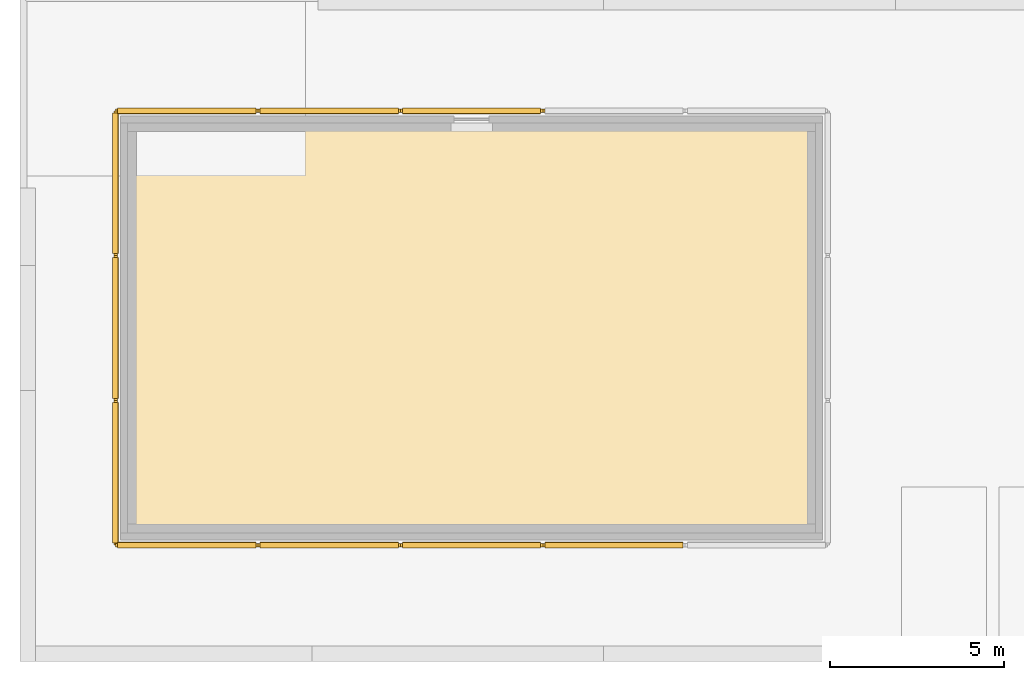
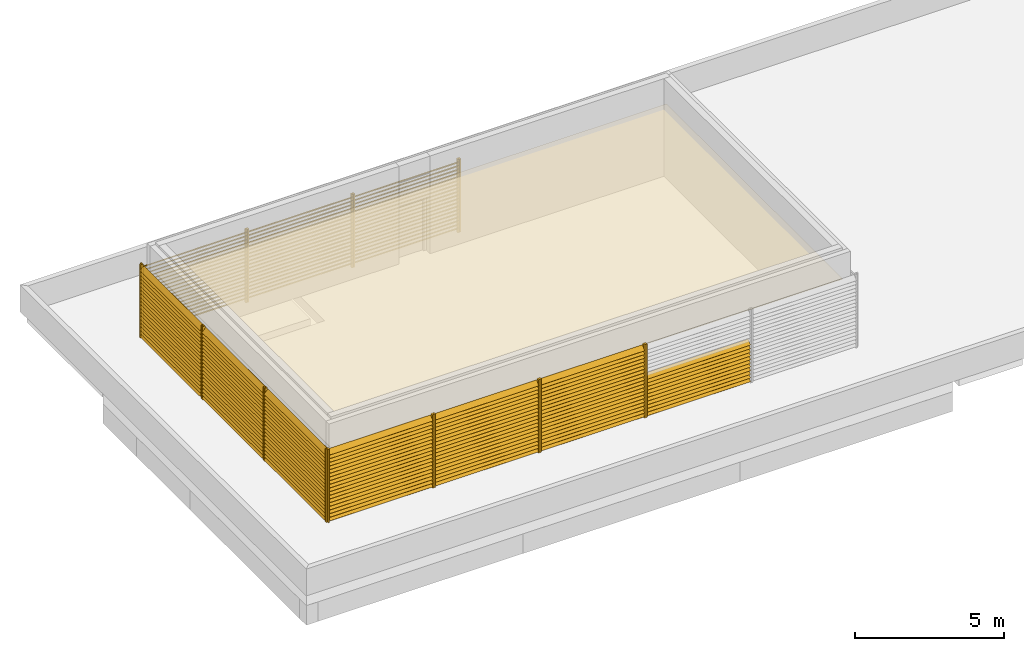
# One storey, part 5 of 13: 202 shading devices, 1 covering.
"""IFC4 building model written with IfcOpenShell, lengths in metres."""

from ifc_helpers import new_model, si_unit, direction, frame, origin, origin_2d, place, context, subcontext, project, spatial, polyline, rectangle, outline, extrude, material, layer, layer_set, material_profile, profile_set, type_object, element, save


model = new_model("IFC4")

# Units and contexts
model_context = context("Model", 3, precision=1e-05, world=origin(), true_north=direction((0.0, 1.0)))
body_context = subcontext(model_context, "Body", "Model", "MODEL_VIEW")
ifc_project = project(units=[si_unit("LENGTHUNIT", "METRE"), si_unit("AREAUNIT", "SQUARE_METRE"), si_unit("VOLUMEUNIT", "CUBIC_METRE"), si_unit("PLANEANGLEUNIT", "RADIAN"), si_unit("MASSUNIT", "GRAM", prefix="KILO")], contexts=[model_context])

# Site, building, storey
site_placement = place(None, origin())
site = spatial("IfcSite", under=ifc_project, at=site_placement, CompositionType="ELEMENT")
building_placement = place(site_placement, origin())
building = spatial("IfcBuilding", under=site, at=building_placement, Name="Bougainvillea Quay General Hospital", CompositionType="ELEMENT")
storey_placement = place(building_placement, frame((0.0, 0.0, 36.60009765625)))
storey = spatial("IfcBuildingStorey", under=building, at=storey_placement, Name="L08", CompositionType="ELEMENT", Elevation=36.60009765625)

# Shading devices
ifc_material_1 = material(Name="Extruded aluminium louvre frame, powder-coated grey", Category="aluminium")
ifc_material_profile_1 = material_profile(ifc_material_1, rectangle(XDim=0.10009765625, YDim=0.06005859375, at=origin_2d()))
ifc_profile_set_1 = profile_set([ifc_material_profile_1], Name="Extruded aluminium louvre frame, powder-coated grey")
shading_device_type_1 = type_object("IfcShadingDeviceType", Name="Louvre frame post 100x60", PredefinedType="JALOUSIE", material=ifc_profile_set_1)
for number, where, z_axis, x_axis, name in (
    (1, (44.780029296875, 143.75, 0.02978515625), (0.0, 0.0, 1.0), (0.0, 1.0, 0.0), "Louvre post V00.1"),
    (2, (48.820068359375, 143.75, 0.02978515625), (0.0, 0.0, 1.0), (0.0, 1.0, 0.0), "Louvre post V00.2"),
    (3, (48.8798828125, 143.75, 0.02978515625), (0.0, 0.0, 1.0), (0.0, 1.0, 0.0), "Louvre post V01.1"),
    (4, (52.919921875, 143.75, 0.02978515625), (0.0, 0.0, 1.0), (0.0, 1.0, 0.0), "Louvre post V01.2"),
    (5, (52.97998046875, 143.75, 0.02978515625), (0.0, 0.0, 1.0), (0.0, 1.0, 0.0), "Louvre post V02.1"),
    (6, (57.02001953125, 143.75, 0.02978515625), (0.0, 0.0, 1.0), (0.0, 1.0, 0.0), "Louvre post V02.2"),
    (7, (57.080078125, 143.75, 0.02978515625), (0.0, 0.0, 1.0), (0.0, 1.0, 0.0), "Louvre post V03.1"),
    (8, (57.080078125, 156.25, 0.02978515625), (0.0, 0.0, 1.0), (0.0, -1.0, 0.0), "Louvre post V01.2"),
    (9, (57.02001953125, 156.25, 0.02978515625), (0.0, 0.0, 1.0), (0.0, -1.0, 0.0), "Louvre post V02.1"),
    (10, (52.97998046875, 156.25, 0.02978515625), (0.0, 0.0, 1.0), (0.0, -1.0, 0.0), "Louvre post V02.2"),
    (11, (52.919921875, 156.25, 0.02978515625), (0.0, 0.0, 1.0), (0.0, -1.0, 0.0), "Louvre post V03.1"),
    (12, (48.8798828125, 156.25, 0.02978515625), (0.0, 0.0, 1.0), (0.0, -1.0, 0.0), "Louvre post V03.2"),
    (13, (48.820068359375, 156.25, 0.02978515625), (0.0, 0.0, 1.0), (0.0, -1.0, 0.0), "Louvre post V04.1"),
    (14, (44.780029296875, 156.25, 0.02978515625), (0.0, 0.0, 1.0), (0.0, -1.0, 0.0), "Louvre post V04.2"),
    (15, (44.75, 156.219970703125, 0.02978515625), (0.0, 0.0, 1.0), (1.0, 0.0, 0.0), "Louvre post V00.1"),
    (16, (44.75, 152.11328125, 0.02978515625), (0.0, 0.0, 1.0), (1.0, 0.0, 0.0), "Louvre post V00.2"),
    (17, (44.75, 152.05322265625, 0.02978515625), (0.0, 0.0, 1.0), (1.0, 0.0, 0.0), "Louvre post V01.1"),
    (18, (44.75, 147.94677734375, 0.02978515625), (0.0, 0.0, 1.0), (1.0, 0.0, 0.0), "Louvre post V01.2"),
    (19, (44.75, 147.88671875, 0.02978515625), (0.0, 0.0, 1.0), (1.0, 0.0, 0.0), "Louvre post V02.1"),
    (20, (44.75, 143.780029296875, 0.02978515625), (0.0, 0.0, 1.0), (1.0, 0.0, 0.0), "Louvre post V02.2"),
):
    element("IfcShadingDevice", number, at=place(storey_placement, frame(where, z_axis=z_axis, x_axis=x_axis)), inside=storey, type_object=shading_device_type_1, Name=name, PredefinedType="JALOUSIE", context=body_context, shape_type="SweptSolid", body=[
        extrude(rectangle(XDim=0.10009765625, YDim=0.06005859375, at=origin_2d()), origin(), (0.0, 0.0, 1.0), 3.0),
    ])
ifc_material_2 = material(Name="Extruded aluminium storm louvre blade, powder-coated grey", Category="aluminium")
ifc_material_profile_2 = material_profile(ifc_material_2, rectangle(XDim=0.219970703125, YDim=0.014892578125, at=origin_2d()))
ifc_profile_set_2 = profile_set([ifc_material_profile_2], Name="Extruded aluminium storm louvre blade, powder-coated grey")
shading_device_type_2 = type_object("IfcShadingDeviceType", Name="Storm louvre blade 220", PredefinedType="JALOUSIE", material=ifc_profile_set_2)
for number, where, z_axis, x_axis, name in (
    (21, (44.81005859375, 143.75, 0.179931640625), (1.0, 0.0, 0.0), (0.0, 0.707106781187, 0.707106781187), "Storm louvre blade V00.1"),
    (22, (44.81005859375, 143.75, 0.329833984375), (1.0, 0.0, 0.0), (0.0, 0.707106781187, 0.707106781187), "Storm louvre blade V00.2"),
    (23, (44.81005859375, 143.75, 0.47998046875), (1.0, 0.0, 0.0), (0.0, 0.707106781187, 0.707106781187), "Storm louvre blade V00.3"),
    (24, (44.81005859375, 143.75, 0.6298828125), (1.0, 0.0, 0.0), (0.0, 0.707106781187, 0.707106781187), "Storm louvre blade V00.4"),
    (25, (44.81005859375, 143.75, 0.77978515625), (1.0, 0.0, 0.0), (0.0, 0.707106781187, 0.707106781187), "Storm louvre blade V00.5"),
    (26, (44.81005859375, 143.75, 0.929931640625), (1.0, 0.0, 0.0), (0.0, 0.707106781187, 0.707106781187), "Storm louvre blade V00.6"),
    (27, (44.81005859375, 143.75, 1.079833984375), (1.0, 0.0, 0.0), (0.0, 0.707106781187, 0.707106781187), "Storm louvre blade V00.7"),
    (28, (44.81005859375, 143.75, 1.22998046875), (1.0, 0.0, 0.0), (0.0, 0.707106781187, 0.707106781187), "Storm louvre blade V00.8"),
    (29, (44.81005859375, 143.75, 1.3798828125), (1.0, 0.0, 0.0), (0.0, 0.707106781187, 0.707106781187), "Storm louvre blade V00.9"),
    (30, (44.81005859375, 143.75, 1.52978515625), (1.0, 0.0, 0.0), (0.0, 0.707106781187, 0.707106781187), "Storm louvre blade V00.10"),
    (31, (44.81005859375, 143.75, 1.679931640625), (1.0, 0.0, 0.0), (0.0, 0.707106781187, 0.707106781187), "Storm louvre blade V00.11"),
    (32, (44.81005859375, 143.75, 1.829833984375), (1.0, 0.0, 0.0), (0.0, 0.707106781187, 0.707106781187), "Storm louvre blade V00.12"),
    (33, (44.81005859375, 143.75, 1.97998046875), (1.0, 0.0, 0.0), (0.0, 0.707106781187, 0.707106781187), "Storm louvre blade V00.13"),
    (34, (44.81005859375, 143.75, 2.1298828125), (1.0, 0.0, 0.0), (0.0, 0.707106781187, 0.707106781187), "Storm louvre blade V00.14"),
    (35, (44.81005859375, 143.75, 2.27978515625), (1.0, 0.0, 0.0), (0.0, 0.707106781187, 0.707106781187), "Storm louvre blade V00.15"),
    (36, (44.81005859375, 143.75, 2.429931640625), (1.0, 0.0, 0.0), (0.0, 0.707106781187, 0.707106781187), "Storm louvre blade V00.16"),
    (37, (44.81005859375, 143.75, 2.579833984375), (1.0, 0.0, 0.0), (0.0, 0.707106781187, 0.707106781187), "Storm louvre blade V00.17"),
    (38, (44.81005859375, 143.75, 2.72998046875), (1.0, 0.0, 0.0), (0.0, 0.707106781187, 0.707106781187), "Storm louvre blade V00.18"),
    (39, (44.81005859375, 143.75, 2.8798828125), (1.0, 0.0, 0.0), (0.0, 0.707106781187, 0.707106781187), "Storm louvre blade V00.19"),
    (40, (48.909912109375, 143.75, 0.179931640625), (1.0, 0.0, 0.0), (0.0, 0.707106781187, 0.707106781187), "Storm louvre blade V01.1"),
    (41, (48.909912109375, 143.75, 0.329833984375), (1.0, 0.0, 0.0), (0.0, 0.707106781187, 0.707106781187), "Storm louvre blade V01.2"),
    (42, (48.909912109375, 143.75, 0.47998046875), (1.0, 0.0, 0.0), (0.0, 0.707106781187, 0.707106781187), "Storm louvre blade V01.3"),
    (43, (48.909912109375, 143.75, 0.6298828125), (1.0, 0.0, 0.0), (0.0, 0.707106781187, 0.707106781187), "Storm louvre blade V01.4"),
    (44, (48.909912109375, 143.75, 0.77978515625), (1.0, 0.0, 0.0), (0.0, 0.707106781187, 0.707106781187), "Storm louvre blade V01.5"),
    (45, (48.909912109375, 143.75, 0.929931640625), (1.0, 0.0, 0.0), (0.0, 0.707106781187, 0.707106781187), "Storm louvre blade V01.6"),
    (46, (48.909912109375, 143.75, 1.079833984375), (1.0, 0.0, 0.0), (0.0, 0.707106781187, 0.707106781187), "Storm louvre blade V01.7"),
    (47, (48.909912109375, 143.75, 1.22998046875), (1.0, 0.0, 0.0), (0.0, 0.707106781187, 0.707106781187), "Storm louvre blade V01.8"),
    (48, (48.909912109375, 143.75, 1.3798828125), (1.0, 0.0, 0.0), (0.0, 0.707106781187, 0.707106781187), "Storm louvre blade V01.9"),
    (49, (48.909912109375, 143.75, 1.52978515625), (1.0, 0.0, 0.0), (0.0, 0.707106781187, 0.707106781187), "Storm louvre blade V01.10"),
    (50, (48.909912109375, 143.75, 1.679931640625), (1.0, 0.0, 0.0), (0.0, 0.707106781187, 0.707106781187), "Storm louvre blade V01.11"),
    (51, (48.909912109375, 143.75, 1.829833984375), (1.0, 0.0, 0.0), (0.0, 0.707106781187, 0.707106781187), "Storm louvre blade V01.12"),
    (52, (48.909912109375, 143.75, 1.97998046875), (1.0, 0.0, 0.0), (0.0, 0.707106781187, 0.707106781187), "Storm louvre blade V01.13"),
    (53, (48.909912109375, 143.75, 2.1298828125), (1.0, 0.0, 0.0), (0.0, 0.707106781187, 0.707106781187), "Storm louvre blade V01.14"),
    (54, (48.909912109375, 143.75, 2.27978515625), (1.0, 0.0, 0.0), (0.0, 0.707106781187, 0.707106781187), "Storm louvre blade V01.15"),
    (55, (48.909912109375, 143.75, 2.429931640625), (1.0, 0.0, 0.0), (0.0, 0.707106781187, 0.707106781187), "Storm louvre blade V01.16"),
    (56, (48.909912109375, 143.75, 2.579833984375), (1.0, 0.0, 0.0), (0.0, 0.707106781187, 0.707106781187), "Storm louvre blade V01.17"),
    (57, (48.909912109375, 143.75, 2.72998046875), (1.0, 0.0, 0.0), (0.0, 0.707106781187, 0.707106781187), "Storm louvre blade V01.18"),
    (58, (48.909912109375, 143.75, 2.8798828125), (1.0, 0.0, 0.0), (0.0, 0.707106781187, 0.707106781187), "Storm louvre blade V01.19"),
    (59, (53.010009765625, 143.75, 0.179931640625), (1.0, 0.0, 0.0), (0.0, 0.707106781187, 0.707106781187), "Storm louvre blade V02.1"),
    (60, (53.010009765625, 143.75, 0.329833984375), (1.0, 0.0, 0.0), (0.0, 0.707106781187, 0.707106781187), "Storm louvre blade V02.2"),
    (61, (53.010009765625, 143.75, 0.47998046875), (1.0, 0.0, 0.0), (0.0, 0.707106781187, 0.707106781187), "Storm louvre blade V02.3"),
    (62, (53.010009765625, 143.75, 0.6298828125), (1.0, 0.0, 0.0), (0.0, 0.707106781187, 0.707106781187), "Storm louvre blade V02.4"),
    (63, (53.010009765625, 143.75, 0.77978515625), (1.0, 0.0, 0.0), (0.0, 0.707106781187, 0.707106781187), "Storm louvre blade V02.5"),
    (64, (53.010009765625, 143.75, 0.929931640625), (1.0, 0.0, 0.0), (0.0, 0.707106781187, 0.707106781187), "Storm louvre blade V02.6"),
    (65, (53.010009765625, 143.75, 1.079833984375), (1.0, 0.0, 0.0), (0.0, 0.707106781187, 0.707106781187), "Storm louvre blade V02.7"),
    (66, (53.010009765625, 143.75, 1.22998046875), (1.0, 0.0, 0.0), (0.0, 0.707106781187, 0.707106781187), "Storm louvre blade V02.8"),
    (67, (53.010009765625, 143.75, 1.3798828125), (1.0, 0.0, 0.0), (0.0, 0.707106781187, 0.707106781187), "Storm louvre blade V02.9"),
    (68, (53.010009765625, 143.75, 1.52978515625), (1.0, 0.0, 0.0), (0.0, 0.707106781187, 0.707106781187), "Storm louvre blade V02.10"),
    (69, (53.010009765625, 143.75, 1.679931640625), (1.0, 0.0, 0.0), (0.0, 0.707106781187, 0.707106781187), "Storm louvre blade V02.11"),
    (70, (53.010009765625, 143.75, 1.829833984375), (1.0, 0.0, 0.0), (0.0, 0.707106781187, 0.707106781187), "Storm louvre blade V02.12"),
    (71, (53.010009765625, 143.75, 1.97998046875), (1.0, 0.0, 0.0), (0.0, 0.707106781187, 0.707106781187), "Storm louvre blade V02.13"),
    (72, (53.010009765625, 143.75, 2.1298828125), (1.0, 0.0, 0.0), (0.0, 0.707106781187, 0.707106781187), "Storm louvre blade V02.14"),
    (73, (53.010009765625, 143.75, 2.27978515625), (1.0, 0.0, 0.0), (0.0, 0.707106781187, 0.707106781187), "Storm louvre blade V02.15"),
    (74, (53.010009765625, 143.75, 2.429931640625), (1.0, 0.0, 0.0), (0.0, 0.707106781187, 0.707106781187), "Storm louvre blade V02.16"),
    (75, (53.010009765625, 143.75, 2.579833984375), (1.0, 0.0, 0.0), (0.0, 0.707106781187, 0.707106781187), "Storm louvre blade V02.17"),
    (76, (53.010009765625, 143.75, 2.72998046875), (1.0, 0.0, 0.0), (0.0, 0.707106781187, 0.707106781187), "Storm louvre blade V02.18"),
    (77, (53.010009765625, 143.75, 2.8798828125), (1.0, 0.0, 0.0), (0.0, 0.707106781187, 0.707106781187), "Storm louvre blade V02.19"),
    (78, (57.110107421875, 143.75, 0.179931640625), (1.0, 0.0, 0.0), (0.0, 0.707106781187, 0.707106781187), "Storm louvre blade V03.1"),
    (79, (57.110107421875, 143.75, 0.329833984375), (1.0, 0.0, 0.0), (0.0, 0.707106781187, 0.707106781187), "Storm louvre blade V03.2"),
    (80, (57.110107421875, 143.75, 0.47998046875), (1.0, 0.0, 0.0), (0.0, 0.707106781187, 0.707106781187), "Storm louvre blade V03.3"),
    (81, (57.110107421875, 143.75, 0.6298828125), (1.0, 0.0, 0.0), (0.0, 0.707106781187, 0.707106781187), "Storm louvre blade V03.4"),
    (82, (57.110107421875, 143.75, 0.77978515625), (1.0, 0.0, 0.0), (0.0, 0.707106781187, 0.707106781187), "Storm louvre blade V03.5"),
    (83, (57.110107421875, 143.75, 0.929931640625), (1.0, 0.0, 0.0), (0.0, 0.707106781187, 0.707106781187), "Storm louvre blade V03.6"),
    (84, (57.110107421875, 143.75, 1.079833984375), (1.0, 0.0, 0.0), (0.0, 0.707106781187, 0.707106781187), "Storm louvre blade V03.7"),
    (85, (57.110107421875, 143.75, 1.22998046875), (1.0, 0.0, 0.0), (0.0, 0.707106781187, 0.707106781187), "Storm louvre blade V03.8"),
    (86, (57.110107421875, 143.75, 1.3798828125), (1.0, 0.0, 0.0), (0.0, 0.707106781187, 0.707106781187), "Storm louvre blade V03.9"),
    (87, (57.110107421875, 143.75, 1.52978515625), (1.0, 0.0, 0.0), (0.0, 0.707106781187, 0.707106781187), "Storm louvre blade V03.10"),
    (88, (57.110107421875, 143.75, 1.679931640625), (1.0, 0.0, 0.0), (0.0, 0.707106781187, 0.707106781187), "Storm louvre blade V03.11"),
    (89, (56.989990234375, 156.25, 0.179931640625), (-1.0, 0.0, 0.0), (0.0, -0.707106781187, 0.707106781187), "Storm louvre blade V02.1"),
    (90, (56.989990234375, 156.25, 0.329833984375), (-1.0, 0.0, 0.0), (0.0, -0.707106781187, 0.707106781187), "Storm louvre blade V02.2"),
    (91, (56.989990234375, 156.25, 0.47998046875), (-1.0, 0.0, 0.0), (0.0, -0.707106781187, 0.707106781187), "Storm louvre blade V02.3"),
    (92, (56.989990234375, 156.25, 0.6298828125), (-1.0, 0.0, 0.0), (0.0, -0.707106781187, 0.707106781187), "Storm louvre blade V02.4"),
    (93, (56.989990234375, 156.25, 0.77978515625), (-1.0, 0.0, 0.0), (0.0, -0.707106781187, 0.707106781187), "Storm louvre blade V02.5"),
    (94, (56.989990234375, 156.25, 0.929931640625), (-1.0, 0.0, 0.0), (0.0, -0.707106781187, 0.707106781187), "Storm louvre blade V02.6"),
    (95, (56.989990234375, 156.25, 1.079833984375), (-1.0, 0.0, 0.0), (0.0, -0.707106781187, 0.707106781187), "Storm louvre blade V02.7"),
    (96, (56.989990234375, 156.25, 1.22998046875), (-1.0, 0.0, 0.0), (0.0, -0.707106781187, 0.707106781187), "Storm louvre blade V02.8"),
    (97, (56.989990234375, 156.25, 1.3798828125), (-1.0, 0.0, 0.0), (0.0, -0.707106781187, 0.707106781187), "Storm louvre blade V02.9"),
    (98, (56.989990234375, 156.25, 1.52978515625), (-1.0, 0.0, 0.0), (0.0, -0.707106781187, 0.707106781187), "Storm louvre blade V02.10"),
    (99, (56.989990234375, 156.25, 1.679931640625), (-1.0, 0.0, 0.0), (0.0, -0.707106781187, 0.707106781187), "Storm louvre blade V02.11"),
    (100, (56.989990234375, 156.25, 1.829833984375), (-1.0, 0.0, 0.0), (0.0, -0.707106781187, 0.707106781187), "Storm louvre blade V02.12"),
    (101, (56.989990234375, 156.25, 1.97998046875), (-1.0, 0.0, 0.0), (0.0, -0.707106781187, 0.707106781187), "Storm louvre blade V02.13"),
    (102, (56.989990234375, 156.25, 2.1298828125), (-1.0, 0.0, 0.0), (0.0, -0.707106781187, 0.707106781187), "Storm louvre blade V02.14"),
    (103, (56.989990234375, 156.25, 2.27978515625), (-1.0, 0.0, 0.0), (0.0, -0.707106781187, 0.707106781187), "Storm louvre blade V02.15"),
    (104, (56.989990234375, 156.25, 2.429931640625), (-1.0, 0.0, 0.0), (0.0, -0.707106781187, 0.707106781187), "Storm louvre blade V02.16"),
    (105, (56.989990234375, 156.25, 2.579833984375), (-1.0, 0.0, 0.0), (0.0, -0.707106781187, 0.707106781187), "Storm louvre blade V02.17"),
    (106, (56.989990234375, 156.25, 2.72998046875), (-1.0, 0.0, 0.0), (0.0, -0.707106781187, 0.707106781187), "Storm louvre blade V02.18"),
    (107, (56.989990234375, 156.25, 2.8798828125), (-1.0, 0.0, 0.0), (0.0, -0.707106781187, 0.707106781187), "Storm louvre blade V02.19"),
    (108, (52.889892578125, 156.25, 0.179931640625), (-1.0, 0.0, 0.0), (0.0, -0.707106781187, 0.707106781187), "Storm louvre blade V03.1"),
    (109, (52.889892578125, 156.25, 0.329833984375), (-1.0, 0.0, 0.0), (0.0, -0.707106781187, 0.707106781187), "Storm louvre blade V03.2"),
    (110, (52.889892578125, 156.25, 0.47998046875), (-1.0, 0.0, 0.0), (0.0, -0.707106781187, 0.707106781187), "Storm louvre blade V03.3"),
    (111, (52.889892578125, 156.25, 0.6298828125), (-1.0, 0.0, 0.0), (0.0, -0.707106781187, 0.707106781187), "Storm louvre blade V03.4"),
    (112, (52.889892578125, 156.25, 0.77978515625), (-1.0, 0.0, 0.0), (0.0, -0.707106781187, 0.707106781187), "Storm louvre blade V03.5"),
    (113, (52.889892578125, 156.25, 0.929931640625), (-1.0, 0.0, 0.0), (0.0, -0.707106781187, 0.707106781187), "Storm louvre blade V03.6"),
    (114, (52.889892578125, 156.25, 1.079833984375), (-1.0, 0.0, 0.0), (0.0, -0.707106781187, 0.707106781187), "Storm louvre blade V03.7"),
    (115, (52.889892578125, 156.25, 1.22998046875), (-1.0, 0.0, 0.0), (0.0, -0.707106781187, 0.707106781187), "Storm louvre blade V03.8"),
    (116, (52.889892578125, 156.25, 1.3798828125), (-1.0, 0.0, 0.0), (0.0, -0.707106781187, 0.707106781187), "Storm louvre blade V03.9"),
    (117, (52.889892578125, 156.25, 1.52978515625), (-1.0, 0.0, 0.0), (0.0, -0.707106781187, 0.707106781187), "Storm louvre blade V03.10"),
    (118, (52.889892578125, 156.25, 1.679931640625), (-1.0, 0.0, 0.0), (0.0, -0.707106781187, 0.707106781187), "Storm louvre blade V03.11"),
    (119, (52.889892578125, 156.25, 1.829833984375), (-1.0, 0.0, 0.0), (0.0, -0.707106781187, 0.707106781187), "Storm louvre blade V03.12"),
    (120, (52.889892578125, 156.25, 1.97998046875), (-1.0, 0.0, 0.0), (0.0, -0.707106781187, 0.707106781187), "Storm louvre blade V03.13"),
    (121, (52.889892578125, 156.25, 2.1298828125), (-1.0, 0.0, 0.0), (0.0, -0.707106781187, 0.707106781187), "Storm louvre blade V03.14"),
    (122, (52.889892578125, 156.25, 2.27978515625), (-1.0, 0.0, 0.0), (0.0, -0.707106781187, 0.707106781187), "Storm louvre blade V03.15"),
    (123, (52.889892578125, 156.25, 2.429931640625), (-1.0, 0.0, 0.0), (0.0, -0.707106781187, 0.707106781187), "Storm louvre blade V03.16"),
    (124, (52.889892578125, 156.25, 2.579833984375), (-1.0, 0.0, 0.0), (0.0, -0.707106781187, 0.707106781187), "Storm louvre blade V03.17"),
    (125, (52.889892578125, 156.25, 2.72998046875), (-1.0, 0.0, 0.0), (0.0, -0.707106781187, 0.707106781187), "Storm louvre blade V03.18"),
    (126, (52.889892578125, 156.25, 2.8798828125), (-1.0, 0.0, 0.0), (0.0, -0.707106781187, 0.707106781187), "Storm louvre blade V03.19"),
    (127, (48.7900390625, 156.25, 0.179931640625), (-1.0, 0.0, 0.0), (0.0, -0.707106781187, 0.707106781187), "Storm louvre blade V04.1"),
    (128, (48.7900390625, 156.25, 0.329833984375), (-1.0, 0.0, 0.0), (0.0, -0.707106781187, 0.707106781187), "Storm louvre blade V04.2"),
    (129, (48.7900390625, 156.25, 0.47998046875), (-1.0, 0.0, 0.0), (0.0, -0.707106781187, 0.707106781187), "Storm louvre blade V04.3"),
    (130, (48.7900390625, 156.25, 0.6298828125), (-1.0, 0.0, 0.0), (0.0, -0.707106781187, 0.707106781187), "Storm louvre blade V04.4"),
    (131, (48.7900390625, 156.25, 0.77978515625), (-1.0, 0.0, 0.0), (0.0, -0.707106781187, 0.707106781187), "Storm louvre blade V04.5"),
    (132, (48.7900390625, 156.25, 0.929931640625), (-1.0, 0.0, 0.0), (0.0, -0.707106781187, 0.707106781187), "Storm louvre blade V04.6"),
    (133, (48.7900390625, 156.25, 1.079833984375), (-1.0, 0.0, 0.0), (0.0, -0.707106781187, 0.707106781187), "Storm louvre blade V04.7"),
    (134, (48.7900390625, 156.25, 1.22998046875), (-1.0, 0.0, 0.0), (0.0, -0.707106781187, 0.707106781187), "Storm louvre blade V04.8"),
    (135, (48.7900390625, 156.25, 1.3798828125), (-1.0, 0.0, 0.0), (0.0, -0.707106781187, 0.707106781187), "Storm louvre blade V04.9"),
    (136, (48.7900390625, 156.25, 1.52978515625), (-1.0, 0.0, 0.0), (0.0, -0.707106781187, 0.707106781187), "Storm louvre blade V04.10"),
    (137, (48.7900390625, 156.25, 1.679931640625), (-1.0, 0.0, 0.0), (0.0, -0.707106781187, 0.707106781187), "Storm louvre blade V04.11"),
    (138, (48.7900390625, 156.25, 1.829833984375), (-1.0, 0.0, 0.0), (0.0, -0.707106781187, 0.707106781187), "Storm louvre blade V04.12"),
    (139, (48.7900390625, 156.25, 1.97998046875), (-1.0, 0.0, 0.0), (0.0, -0.707106781187, 0.707106781187), "Storm louvre blade V04.13"),
    (140, (48.7900390625, 156.25, 2.1298828125), (-1.0, 0.0, 0.0), (0.0, -0.707106781187, 0.707106781187), "Storm louvre blade V04.14"),
    (141, (48.7900390625, 156.25, 2.27978515625), (-1.0, 0.0, 0.0), (0.0, -0.707106781187, 0.707106781187), "Storm louvre blade V04.15"),
    (142, (48.7900390625, 156.25, 2.429931640625), (-1.0, 0.0, 0.0), (0.0, -0.707106781187, 0.707106781187), "Storm louvre blade V04.16"),
    (143, (48.7900390625, 156.25, 2.579833984375), (-1.0, 0.0, 0.0), (0.0, -0.707106781187, 0.707106781187), "Storm louvre blade V04.17"),
    (144, (48.7900390625, 156.25, 2.72998046875), (-1.0, 0.0, 0.0), (0.0, -0.707106781187, 0.707106781187), "Storm louvre blade V04.18"),
    (145, (48.7900390625, 156.25, 2.8798828125), (-1.0, 0.0, 0.0), (0.0, -0.707106781187, 0.707106781187), "Storm louvre blade V04.19"),
):
    element("IfcShadingDevice", number, at=place(storey_placement, frame(where, z_axis=z_axis, x_axis=x_axis)), inside=storey, type_object=shading_device_type_2, Name=name, PredefinedType="JALOUSIE", context=body_context, shape_type="SweptSolid", body=[
        extrude(rectangle(XDim=0.219970703125, YDim=0.014892578125, at=origin_2d()), origin(), (0.0, 0.0, 1.0), 3.97998046875),
    ])
for number, where, z_axis, x_axis, name in (
    (146, (44.75, 156.18994140625, 0.179931640625), (0.0, -1.0, 0.0), (0.707106781187, 0.0, 0.707106781187), "Storm louvre blade V00.1"),
    (147, (44.75, 156.18994140625, 0.329833984375), (0.0, -1.0, 0.0), (0.707106781187, 0.0, 0.707106781187), "Storm louvre blade V00.2"),
    (148, (44.75, 156.18994140625, 0.47998046875), (0.0, -1.0, 0.0), (0.707106781187, 0.0, 0.707106781187), "Storm louvre blade V00.3"),
    (149, (44.75, 156.18994140625, 0.6298828125), (0.0, -1.0, 0.0), (0.707106781187, 0.0, 0.707106781187), "Storm louvre blade V00.4"),
    (150, (44.75, 156.18994140625, 0.77978515625), (0.0, -1.0, 0.0), (0.707106781187, 0.0, 0.707106781187), "Storm louvre blade V00.5"),
    (151, (44.75, 156.18994140625, 0.929931640625), (0.0, -1.0, 0.0), (0.707106781187, 0.0, 0.707106781187), "Storm louvre blade V00.6"),
    (152, (44.75, 156.18994140625, 1.079833984375), (0.0, -1.0, 0.0), (0.707106781187, 0.0, 0.707106781187), "Storm louvre blade V00.7"),
    (153, (44.75, 156.18994140625, 1.22998046875), (0.0, -1.0, 0.0), (0.707106781187, 0.0, 0.707106781187), "Storm louvre blade V00.8"),
    (154, (44.75, 156.18994140625, 1.3798828125), (0.0, -1.0, 0.0), (0.707106781187, 0.0, 0.707106781187), "Storm louvre blade V00.9"),
    (155, (44.75, 156.18994140625, 1.52978515625), (0.0, -1.0, 0.0), (0.707106781187, 0.0, 0.707106781187), "Storm louvre blade V00.10"),
    (156, (44.75, 156.18994140625, 1.679931640625), (0.0, -1.0, 0.0), (0.707106781187, 0.0, 0.707106781187), "Storm louvre blade V00.11"),
    (157, (44.75, 156.18994140625, 1.829833984375), (0.0, -1.0, 0.0), (0.707106781187, 0.0, 0.707106781187), "Storm louvre blade V00.12"),
    (158, (44.75, 156.18994140625, 1.97998046875), (0.0, -1.0, 0.0), (0.707106781187, 0.0, 0.707106781187), "Storm louvre blade V00.13"),
    (159, (44.75, 156.18994140625, 2.1298828125), (0.0, -1.0, 0.0), (0.707106781187, 0.0, 0.707106781187), "Storm louvre blade V00.14"),
    (160, (44.75, 156.18994140625, 2.27978515625), (0.0, -1.0, 0.0), (0.707106781187, 0.0, 0.707106781187), "Storm louvre blade V00.15"),
    (161, (44.75, 156.18994140625, 2.429931640625), (0.0, -1.0, 0.0), (0.707106781187, 0.0, 0.707106781187), "Storm louvre blade V00.16"),
    (162, (44.75, 156.18994140625, 2.579833984375), (0.0, -1.0, 0.0), (0.707106781187, 0.0, 0.707106781187), "Storm louvre blade V00.17"),
    (163, (44.75, 156.18994140625, 2.72998046875), (0.0, -1.0, 0.0), (0.707106781187, 0.0, 0.707106781187), "Storm louvre blade V00.18"),
    (164, (44.75, 156.18994140625, 2.8798828125), (0.0, -1.0, 0.0), (0.707106781187, 0.0, 0.707106781187), "Storm louvre blade V00.19"),
):
    element("IfcShadingDevice", number, at=place(storey_placement, frame(where, z_axis=z_axis, x_axis=x_axis)), inside=storey, type_object=shading_device_type_2, Name=name, PredefinedType="JALOUSIE", context=body_context, shape_type="SweptSolid", body=[
        extrude(rectangle(XDim=0.219970703125, YDim=0.014892578125, at=origin_2d()), origin(), (0.0, 0.0, 1.0), 4.046630859375),
    ])
for number, where, z_axis, x_axis, name in (
    (165, (44.75, 152.0234375, 0.179931640625), (0.0, -1.0, 0.0), (0.707106781187, 0.0, 0.707106781187), "Storm louvre blade V01.1"),
    (166, (44.75, 152.0234375, 0.329833984375), (0.0, -1.0, 0.0), (0.707106781187, 0.0, 0.707106781187), "Storm louvre blade V01.2"),
    (167, (44.75, 152.0234375, 0.47998046875), (0.0, -1.0, 0.0), (0.707106781187, 0.0, 0.707106781187), "Storm louvre blade V01.3"),
    (168, (44.75, 152.0234375, 0.6298828125), (0.0, -1.0, 0.0), (0.707106781187, 0.0, 0.707106781187), "Storm louvre blade V01.4"),
    (169, (44.75, 152.0234375, 0.77978515625), (0.0, -1.0, 0.0), (0.707106781187, 0.0, 0.707106781187), "Storm louvre blade V01.5"),
    (170, (44.75, 152.0234375, 0.929931640625), (0.0, -1.0, 0.0), (0.707106781187, 0.0, 0.707106781187), "Storm louvre blade V01.6"),
    (171, (44.75, 152.0234375, 1.079833984375), (0.0, -1.0, 0.0), (0.707106781187, 0.0, 0.707106781187), "Storm louvre blade V01.7"),
    (172, (44.75, 152.0234375, 1.22998046875), (0.0, -1.0, 0.0), (0.707106781187, 0.0, 0.707106781187), "Storm louvre blade V01.8"),
    (173, (44.75, 152.0234375, 1.3798828125), (0.0, -1.0, 0.0), (0.707106781187, 0.0, 0.707106781187), "Storm louvre blade V01.9"),
    (174, (44.75, 152.0234375, 1.52978515625), (0.0, -1.0, 0.0), (0.707106781187, 0.0, 0.707106781187), "Storm louvre blade V01.10"),
    (175, (44.75, 152.0234375, 1.679931640625), (0.0, -1.0, 0.0), (0.707106781187, 0.0, 0.707106781187), "Storm louvre blade V01.11"),
    (176, (44.75, 152.0234375, 1.829833984375), (0.0, -1.0, 0.0), (0.707106781187, 0.0, 0.707106781187), "Storm louvre blade V01.12"),
    (177, (44.75, 152.0234375, 1.97998046875), (0.0, -1.0, 0.0), (0.707106781187, 0.0, 0.707106781187), "Storm louvre blade V01.13"),
    (178, (44.75, 152.0234375, 2.1298828125), (0.0, -1.0, 0.0), (0.707106781187, 0.0, 0.707106781187), "Storm louvre blade V01.14"),
    (179, (44.75, 152.0234375, 2.27978515625), (0.0, -1.0, 0.0), (0.707106781187, 0.0, 0.707106781187), "Storm louvre blade V01.15"),
    (180, (44.75, 152.0234375, 2.429931640625), (0.0, -1.0, 0.0), (0.707106781187, 0.0, 0.707106781187), "Storm louvre blade V01.16"),
    (181, (44.75, 152.0234375, 2.579833984375), (0.0, -1.0, 0.0), (0.707106781187, 0.0, 0.707106781187), "Storm louvre blade V01.17"),
    (182, (44.75, 152.0234375, 2.72998046875), (0.0, -1.0, 0.0), (0.707106781187, 0.0, 0.707106781187), "Storm louvre blade V01.18"),
    (183, (44.75, 152.0234375, 2.8798828125), (0.0, -1.0, 0.0), (0.707106781187, 0.0, 0.707106781187), "Storm louvre blade V01.19"),
):
    element("IfcShadingDevice", number, at=place(storey_placement, frame(where, z_axis=z_axis, x_axis=x_axis)), inside=storey, type_object=shading_device_type_2, Name=name, PredefinedType="JALOUSIE", context=body_context, shape_type="SweptSolid", body=[
        extrude(rectangle(XDim=0.219970703125, YDim=0.014892578125, at=origin_2d()), origin(), (0.0, 0.0, 1.0), 4.046875),
    ])
for number, where, z_axis, x_axis, name in (
    (184, (44.75, 147.856689453125, 0.179931640625), (0.0, -1.0, 0.0), (0.707106781187, 0.0, 0.707106781187), "Storm louvre blade V02.1"),
    (185, (44.75, 147.856689453125, 0.329833984375), (0.0, -1.0, 0.0), (0.707106781187, 0.0, 0.707106781187), "Storm louvre blade V02.2"),
    (186, (44.75, 147.856689453125, 0.47998046875), (0.0, -1.0, 0.0), (0.707106781187, 0.0, 0.707106781187), "Storm louvre blade V02.3"),
    (187, (44.75, 147.856689453125, 0.6298828125), (0.0, -1.0, 0.0), (0.707106781187, 0.0, 0.707106781187), "Storm louvre blade V02.4"),
    (188, (44.75, 147.856689453125, 0.77978515625), (0.0, -1.0, 0.0), (0.707106781187, 0.0, 0.707106781187), "Storm louvre blade V02.5"),
    (189, (44.75, 147.856689453125, 0.929931640625), (0.0, -1.0, 0.0), (0.707106781187, 0.0, 0.707106781187), "Storm louvre blade V02.6"),
    (190, (44.75, 147.856689453125, 1.079833984375), (0.0, -1.0, 0.0), (0.707106781187, 0.0, 0.707106781187), "Storm louvre blade V02.7"),
    (191, (44.75, 147.856689453125, 1.22998046875), (0.0, -1.0, 0.0), (0.707106781187, 0.0, 0.707106781187), "Storm louvre blade V02.8"),
    (192, (44.75, 147.856689453125, 1.3798828125), (0.0, -1.0, 0.0), (0.707106781187, 0.0, 0.707106781187), "Storm louvre blade V02.9"),
    (193, (44.75, 147.856689453125, 1.52978515625), (0.0, -1.0, 0.0), (0.707106781187, 0.0, 0.707106781187), "Storm louvre blade V02.10"),
    (194, (44.75, 147.856689453125, 1.679931640625), (0.0, -1.0, 0.0), (0.707106781187, 0.0, 0.707106781187), "Storm louvre blade V02.11"),
    (195, (44.75, 147.856689453125, 1.829833984375), (0.0, -1.0, 0.0), (0.707106781187, 0.0, 0.707106781187), "Storm louvre blade V02.12"),
    (196, (44.75, 147.856689453125, 1.97998046875), (0.0, -1.0, 0.0), (0.707106781187, 0.0, 0.707106781187), "Storm louvre blade V02.13"),
    (197, (44.75, 147.856689453125, 2.1298828125), (0.0, -1.0, 0.0), (0.707106781187, 0.0, 0.707106781187), "Storm louvre blade V02.14"),
    (198, (44.75, 147.856689453125, 2.27978515625), (0.0, -1.0, 0.0), (0.707106781187, 0.0, 0.707106781187), "Storm louvre blade V02.15"),
    (199, (44.75, 147.856689453125, 2.429931640625), (0.0, -1.0, 0.0), (0.707106781187, 0.0, 0.707106781187), "Storm louvre blade V02.16"),
    (200, (44.75, 147.856689453125, 2.579833984375), (0.0, -1.0, 0.0), (0.707106781187, 0.0, 0.707106781187), "Storm louvre blade V02.17"),
    (201, (44.75, 147.856689453125, 2.72998046875), (0.0, -1.0, 0.0), (0.707106781187, 0.0, 0.707106781187), "Storm louvre blade V02.18"),
    (202, (44.75, 147.856689453125, 2.8798828125), (0.0, -1.0, 0.0), (0.707106781187, 0.0, 0.707106781187), "Storm louvre blade V02.19"),
):
    element("IfcShadingDevice", number, at=place(storey_placement, frame(where, z_axis=z_axis, x_axis=x_axis)), inside=storey, type_object=shading_device_type_2, Name=name, PredefinedType="JALOUSIE", context=body_context, shape_type="SweptSolid", body=[
        extrude(rectangle(XDim=0.219970703125, YDim=0.014892578125, at=origin_2d()), origin(), (0.0, 0.0, 1.0), 4.046630859375),
    ])

# Covering
ifc_material_3 = material(Name="Mineral fibre ceiling tile")
ifc_layer = layer(ifc_material_3, 0.030029296875)
ifc_layer_set = layer_set([ifc_layer], Name="Mineral fibre ceiling tile")
covering_type = type_object("IfcCoveringType", Name="Suspended ceiling mineral fibre tile", PredefinedType="CEILING", material=ifc_layer_set)
covering_placement = place(storey_placement, frame((0.0, 0.0, 2.699951171875)))
element("IfcCovering", 203, at=covering_placement, inside=storey, type_object=covering_type, Name="Ceiling Chiller Plant Room", PredefinedType="CEILING", context=body_context, shape_type="SweptSolid", body=[
    extrude(outline(polyline([(64.89990234375, 144.10009765625), (64.89990234375, 155.89990234375), (45.10009765625, 155.89990234375), (45.10009765625, 144.10009765625), (64.89990234375, 144.10009765625)])), origin(), (0.0, 0.0, 1.0), 0.030029296875),
])

save(model, "model.ifc")
